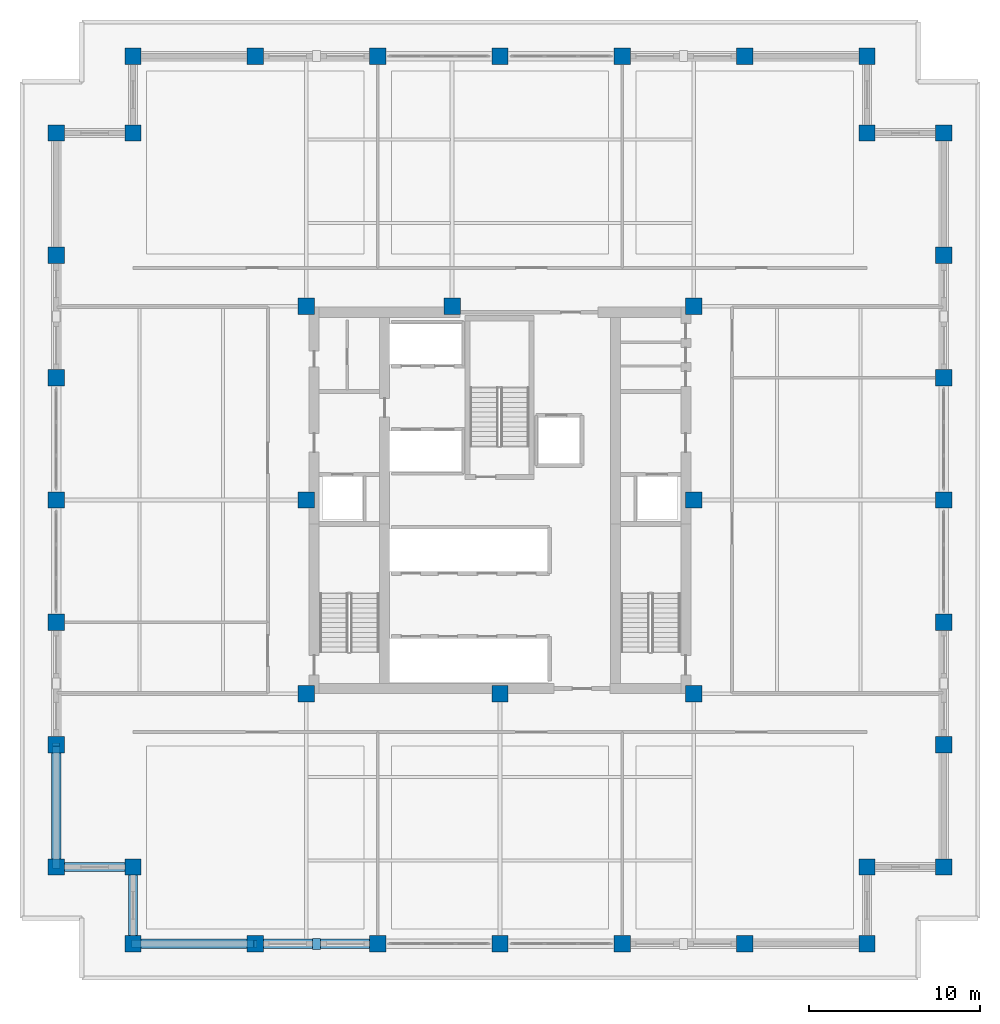
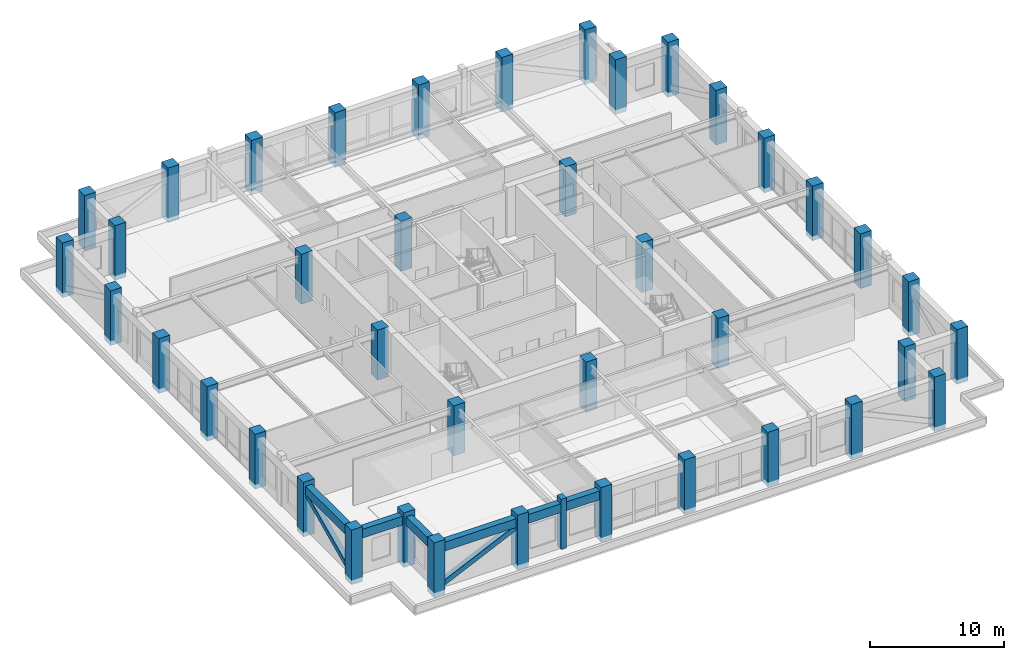
# One storey, part 1 of 16: 40 columns, 5 beams, 3 members.
"""IFC4 building model written with IfcOpenShell, lengths in metres."""

from ifc_helpers import new_model, si_unit, direction, frame, origin, origin_2d, place, context, subcontext, project, spatial, rectangle, hollow_rectangle, extrude, material, material_profile, profile_set, type_object, element, save


model = new_model("IFC4")

# Units and contexts
model_context = context("Model", 3, precision=1e-05, world=origin(), true_north=direction((0.0, 1.0)))
body_context = subcontext(model_context, "Body", "Model", "MODEL_VIEW")
ifc_project = project(units=[si_unit("LENGTHUNIT", "METRE"), si_unit("AREAUNIT", "SQUARE_METRE"), si_unit("VOLUMEUNIT", "CUBIC_METRE"), si_unit("PLANEANGLEUNIT", "RADIAN"), si_unit("MASSUNIT", "GRAM", prefix="KILO")], contexts=[model_context])

# Site, building, storey
site_placement = place(None, origin())
site = spatial("IfcSite", under=ifc_project, at=site_placement, CompositionType="ELEMENT")
building_placement = place(site_placement, origin())
building = spatial("IfcBuilding", under=site, at=building_placement, Name="Nhamokura Convention Tower", CompositionType="ELEMENT")
storey_placement = place(building_placement, frame((0.0, 0.0, 106.050048828125)))
storey = spatial("IfcBuildingStorey", under=building, at=storey_placement, Name="L25", CompositionType="ELEMENT", Elevation=106.050048828125)

# Columns
ifc_material_1 = material(Name="Concrete C60/75", Category="concrete")
ifc_material_profile_1 = material_profile(ifc_material_1, rectangle(XDim=0.949951171875, YDim=0.949951171875, at=origin_2d()))
ifc_profile_set_1 = profile_set([ifc_material_profile_1], Name="Concrete C60/75")
column_type = type_object("IfcColumnType", Name="TubeColumn_Z2_950", PredefinedType="COLUMN", material=ifc_profile_set_1)
for number, where, z_axis, x_axis, name in (
    (1, (20.64990234375, 20.64990234375, 0.0), (0.0, 0.0, 1.0), (1.0, 0.0, 0.0), "L25 Core Column CC-SW"),
    (2, (32.0, 20.64990234375, 0.0), (0.0, 0.0, 1.0), (1.0, 0.0, 0.0), "L25 Core Column CC-S"),
    (3, (43.35009765625, 20.64990234375, 0.0), (0.0, 0.0, 1.0), (1.0, 0.0, 0.0), "L25 Core Column CC-SE"),
    (4, (43.35009765625, 32.0, 0.0), (0.0, 0.0, 1.0), (1.0, 0.0, 0.0), "L25 Core Column CC-E"),
    (5, (43.35009765625, 43.35009765625, 0.0), (0.0, 0.0, 1.0), (1.0, 0.0, 0.0), "L25 Core Column CC-NE"),
    (6, (29.199951171875, 43.35009765625, 0.0), (0.0, 0.0, 1.0), (1.0, 0.0, 0.0), "L25 Core Column CC-N"),
    (7, (20.64990234375, 43.35009765625, 0.0), (0.0, 0.0, 1.0), (1.0, 0.0, 0.0), "L25 Core Column CC-NW"),
    (8, (20.64990234375, 32.0, 0.0), (0.0, 0.0, 1.0), (1.0, 0.0, 0.0), "L25 Core Column CC-W"),
):
    element("IfcColumn", number, at=place(storey_placement, frame(where, z_axis=z_axis, x_axis=x_axis)), inside=storey, type_object=column_type, Name=name, PredefinedType="COLUMN", context=body_context, shape_type="SweptSolid", body=[
        extrude(rectangle(XDim=0.949951171875, YDim=0.949951171875, at=origin_2d()), origin(), (0.0, 0.0, 1.0), 4.550048828125),
    ])
for number, where, z_axis, x_axis, name in (
    (9, (10.5, 6.0, -0.420166015625), (0.0, 0.0, 1.0), (1.0, 0.0, 0.0), "L25 Perimeter Tube Column SW1"),
    (10, (10.5, 10.5, -0.420166015625), (0.0, 0.0, 1.0), (1.0, 0.0, 0.0), "L25 Perimeter Tube Column SW0"),
    (11, (6.0, 10.5, -0.420166015625), (0.0, 0.0, 1.0), (1.0, 0.0, 0.0), "L25 Perimeter Tube Column SW2"),
    (12, (53.5, 6.0, -0.420166015625), (0.0, 0.0, 1.0), (1.0, 0.0, 0.0), "L25 Perimeter Tube Column SE1"),
    (13, (53.5, 10.5, -0.420166015625), (0.0, 0.0, 1.0), (1.0, 0.0, 0.0), "L25 Perimeter Tube Column SE0"),
    (14, (58.0, 10.5, -0.420166015625), (0.0, 0.0, 1.0), (1.0, 0.0, 0.0), "L25 Perimeter Tube Column SE2"),
    (15, (58.0, 53.5, -0.420166015625), (0.0, 0.0, 1.0), (1.0, 0.0, 0.0), "L25 Perimeter Tube Column NE1"),
    (16, (53.5, 53.5, -0.420166015625), (0.0, 0.0, 1.0), (1.0, 0.0, 0.0), "L25 Perimeter Tube Column NE0"),
    (17, (53.5, 58.0, -0.420166015625), (0.0, 0.0, 1.0), (1.0, 0.0, 0.0), "L25 Perimeter Tube Column NE2"),
    (18, (10.5, 58.0, -0.420166015625), (0.0, 0.0, 1.0), (1.0, 0.0, 0.0), "L25 Perimeter Tube Column NW1"),
    (19, (10.5, 53.5, -0.420166015625), (0.0, 0.0, 1.0), (1.0, 0.0, 0.0), "L25 Perimeter Tube Column NW0"),
    (20, (6.0, 53.5, -0.420166015625), (0.0, 0.0, 1.0), (1.0, 0.0, 0.0), "L25 Perimeter Tube Column NW2"),
    (21, (17.666748046875, 6.0, -0.420166015625), (0.0, 0.0, 1.0), (1.0, 0.0, 0.0), "L25 Perimeter Tube Column S1"),
    (22, (17.666748046875, 58.0, -0.420166015625), (0.0, 0.0, 1.0), (1.0, 0.0, 0.0), "L25 Perimeter Tube Column N1"),
    (23, (6.0, 17.666748046875, -0.420166015625), (0.0, 0.0, 1.0), (1.0, 0.0, 0.0), "L25 Perimeter Tube Column W1"),
    (24, (58.0, 17.666748046875, -0.420166015625), (0.0, 0.0, 1.0), (1.0, 0.0, 0.0), "L25 Perimeter Tube Column E1"),
    (25, (24.833251953125, 6.0, -0.420166015625), (0.0, 0.0, 1.0), (1.0, 0.0, 0.0), "L25 Perimeter Tube Column S2"),
    (26, (24.833251953125, 58.0, -0.420166015625), (0.0, 0.0, 1.0), (1.0, 0.0, 0.0), "L25 Perimeter Tube Column N2"),
    (27, (6.0, 24.833251953125, -0.420166015625), (0.0, 0.0, 1.0), (1.0, 0.0, 0.0), "L25 Perimeter Tube Column W2"),
    (28, (58.0, 24.833251953125, -0.420166015625), (0.0, 0.0, 1.0), (1.0, 0.0, 0.0), "L25 Perimeter Tube Column E2"),
    (29, (32.0, 6.0, -0.420166015625), (0.0, 0.0, 1.0), (1.0, 0.0, 0.0), "L25 Perimeter Tube Column S3"),
    (30, (32.0, 58.0, -0.420166015625), (0.0, 0.0, 1.0), (1.0, 0.0, 0.0), "L25 Perimeter Tube Column N3"),
    (31, (6.0, 32.0, -0.420166015625), (0.0, 0.0, 1.0), (1.0, 0.0, 0.0), "L25 Perimeter Tube Column W3"),
    (32, (58.0, 32.0, -0.420166015625), (0.0, 0.0, 1.0), (1.0, 0.0, 0.0), "L25 Perimeter Tube Column E3"),
    (33, (39.166748046875, 6.0, -0.420166015625), (0.0, 0.0, 1.0), (1.0, 0.0, 0.0), "L25 Perimeter Tube Column S4"),
    (34, (39.166748046875, 58.0, -0.420166015625), (0.0, 0.0, 1.0), (1.0, 0.0, 0.0), "L25 Perimeter Tube Column N4"),
    (35, (6.0, 39.166748046875, -0.420166015625), (0.0, 0.0, 1.0), (1.0, 0.0, 0.0), "L25 Perimeter Tube Column W4"),
    (36, (58.0, 39.166748046875, -0.420166015625), (0.0, 0.0, 1.0), (1.0, 0.0, 0.0), "L25 Perimeter Tube Column E4"),
    (37, (46.333251953125, 6.0, -0.420166015625), (0.0, 0.0, 1.0), (1.0, 0.0, 0.0), "L25 Perimeter Tube Column S5"),
    (38, (46.333251953125, 58.0, -0.420166015625), (0.0, 0.0, 1.0), (1.0, 0.0, 0.0), "L25 Perimeter Tube Column N5"),
    (39, (6.0, 46.333251953125, -0.420166015625), (0.0, 0.0, 1.0), (1.0, 0.0, 0.0), "L25 Perimeter Tube Column W5"),
    (40, (58.0, 46.333251953125, -0.420166015625), (0.0, 0.0, 1.0), (1.0, 0.0, 0.0), "L25 Perimeter Tube Column E5"),
):
    element("IfcColumn", number, at=place(storey_placement, frame(where, z_axis=z_axis, x_axis=x_axis)), inside=storey, type_object=column_type, Name=name, PredefinedType="COLUMN", context=body_context, shape_type="SweptSolid", body=[
        extrude(rectangle(XDim=0.949951171875, YDim=0.949951171875, at=origin_2d()), origin(), (0.0, 0.0, 1.0), 4.97021484375),
    ])

# Members
ifc_material_2 = material(Name="Bronze-pigmented precast concrete C45/55", Category="concrete")
ifc_material_profile_2 = material_profile(ifc_material_2, rectangle(XDim=0.449951171875, YDim=0.64990234375, at=origin_2d()))
ifc_profile_set_2 = profile_set([ifc_material_profile_2], Name="Bronze-pigmented precast concrete C45/55")
member_type_1 = type_object("IfcMemberType", Name="BronzePilaster_650", PredefinedType="USERDEFINED", material=ifc_profile_set_2)
member_placement = place(storey_placement, frame((21.25, 6.0, 0.0), z_axis=(0.0, 0.0, 1.0), x_axis=(1.0, 0.0, 0.0)))
element("IfcMember", 41, at=member_placement, inside=storey, type_object=member_type_1, Name="L25 Engaged Frame Pilaster SOUTH 1", ObjectType="PILASTER_TRIM", PredefinedType="USERDEFINED", context=body_context, shape_type="SweptSolid", body=[
    extrude(rectangle(XDim=0.449951171875, YDim=0.64990234375, at=origin_2d()), origin(), (0.0, 0.0, 1.0), 4.550048828125),
])
ifc_material_3 = material(Name="Steel ASTM A572 Gr 50", Category="steel")
ifc_material_profile_3 = material_profile(ifc_material_3, hollow_rectangle(XDim=0.449951171875, YDim=0.449951171875, WallThickness=0.02197265625, at=origin_2d()))
ifc_profile_set_3 = profile_set([ifc_material_profile_3], Name="Steel ASTM A572 Gr 50")
member_type_2 = type_object("IfcMemberType", Name="TubeBrace_HSS450", PredefinedType="BRACE", material=ifc_profile_set_3)
for number, where, z_axis, x_axis, name in (
    (42, (10.5, 6.0, 0.14990234375), (0.906880391441, 0.0, 0.421388129424), (0.0, 1.0, 0.0), "L25 Perimeter Tube Brace SOUTH Bay 0"),
    (43, (6.0, 10.5, 0.14990234375), (0.0, 0.906880391441, 0.421388129424), (-1.0, 0.0, 0.0), "L25 Perimeter Tube Brace WEST Bay 0"),
):
    element("IfcMember", number, at=place(storey_placement, frame(where, z_axis=z_axis, x_axis=x_axis)), inside=storey, type_object=member_type_2, Name=name, PredefinedType="BRACE", context=body_context, shape_type="SweptSolid", body=[
        extrude(hollow_rectangle(XDim=0.449951171875, YDim=0.449951171875, WallThickness=0.02197265625, at=origin_2d()), origin(), (0.0, 0.0, 1.0), 7.902587890625),
    ])

# Beams
ifc_material_4 = material(Name="Concrete C50/60", Category="concrete")
ifc_material_profile_4 = material_profile(ifc_material_4, rectangle(XDim=0.550048828125, YDim=0.800048828125, at=origin_2d()))
ifc_profile_set_4 = profile_set([ifc_material_profile_4], Name="Concrete C50/60")
beam_type = type_object("IfcBeamType", Name="TubeSpandrel_800", PredefinedType="SPANDREL", material=ifc_profile_set_4)
beam_1_placement = place(storey_placement, frame((10.5, 6.0, 3.72998046875), z_axis=(1.0, 0.0, 0.0), x_axis=(0.0, 1.0, 0.0)))
element("IfcBeam", 44, at=beam_1_placement, inside=storey, type_object=beam_type, Name="L25 Perimeter Spandrel SOUTH 1", PredefinedType="SPANDREL", context=body_context, shape_type="SweptSolid", body=[
    extrude(rectangle(XDim=0.550048828125, YDim=0.800048828125, at=origin_2d()), origin(), (0.0, 0.0, 1.0), 7.166748046875),
])
beam_2_placement = place(storey_placement, frame((17.666748046875, 6.0, 3.72998046875), z_axis=(1.0, 0.0, 0.0), x_axis=(0.0, 1.0, 0.0)))
element("IfcBeam", 45, at=beam_2_placement, inside=storey, type_object=beam_type, Name="L25 Perimeter Spandrel SOUTH 2", PredefinedType="SPANDREL", context=body_context, shape_type="SweptSolid", body=[
    extrude(rectangle(XDim=0.550048828125, YDim=0.800048828125, at=origin_2d()), origin(), (0.0, 0.0, 1.0), 7.16650390625),
])
beam_3_placement = place(storey_placement, frame((6.0, 10.5, 3.72998046875), z_axis=(0.0, 1.0, 0.0), x_axis=(-1.0, 0.0, 0.0)))
element("IfcBeam", 46, at=beam_3_placement, inside=storey, type_object=beam_type, Name="L25 Perimeter Spandrel WEST 1", PredefinedType="SPANDREL", context=body_context, shape_type="SweptSolid", body=[
    extrude(rectangle(XDim=0.550048828125, YDim=0.800048828125, at=origin_2d()), origin(), (0.0, 0.0, 1.0), 7.166748046875),
])
for number, where, z_axis, x_axis, name in (
    (47, (10.5, 6.0, 3.72998046875), (0.0, 1.0, 0.0), (-1.0, 0.0, 0.0), "L25 Notch Spandrel SW1"),
    (48, (10.5, 10.5, 3.72998046875), (-1.0, 0.0, 0.0), (0.0, -1.0, 0.0), "L25 Notch Spandrel SW2"),
):
    element("IfcBeam", number, at=place(storey_placement, frame(where, z_axis=z_axis, x_axis=x_axis)), inside=storey, type_object=beam_type, Name=name, PredefinedType="SPANDREL", context=body_context, shape_type="SweptSolid", body=[
        extrude(rectangle(XDim=0.550048828125, YDim=0.800048828125, at=origin_2d()), origin(), (0.0, 0.0, 1.0), 4.5),
    ])

save(model, "model.ifc")
